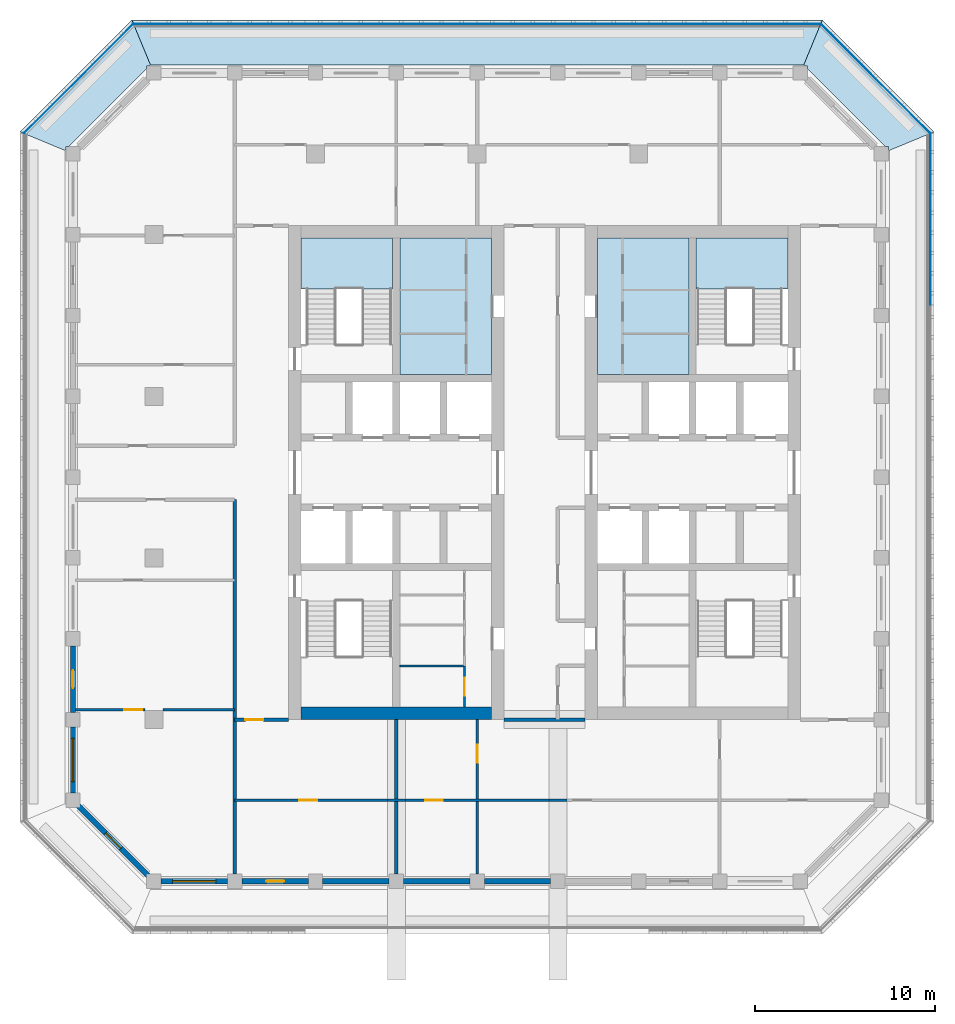
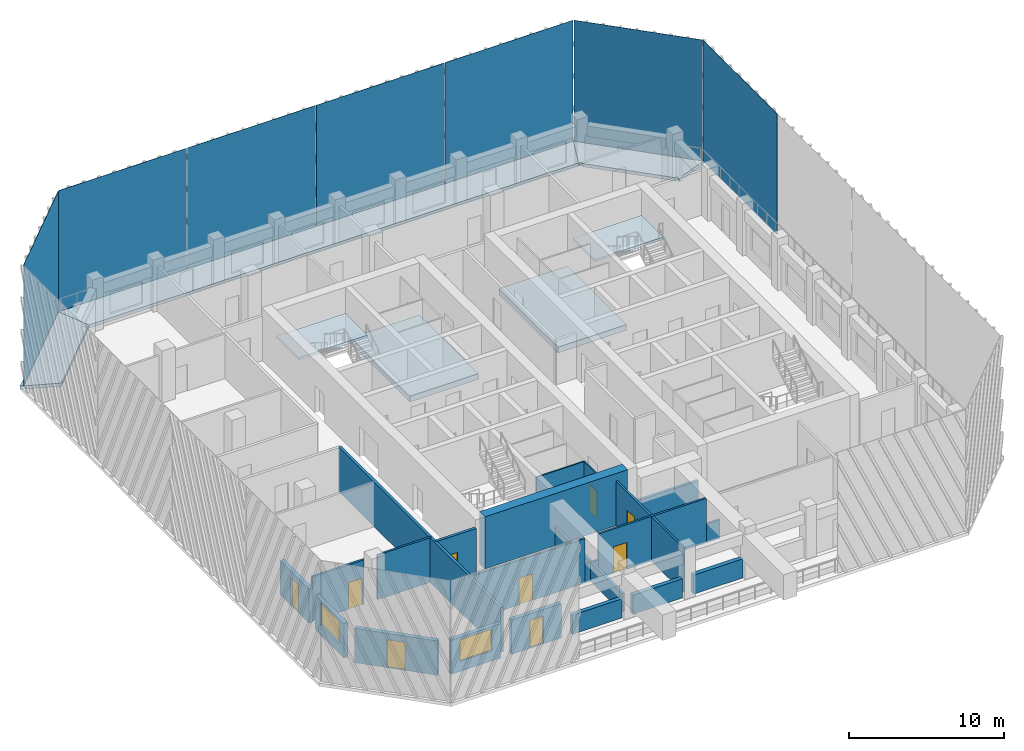
# One storey, part 2 of 16: 22 walls, 9 doors, 7 plates, 7 slabs, 2 windows, 11 openings, 2 elements without a shape of their own.
"""IFC4 building model written with IfcOpenShell, lengths in metres."""

from ifc_helpers import new_model, si_unit, direction, frame, frame_2d, origin, origin_2d, place, context, subcontext, project, spatial, polyline, rectangle, outline, extrude, material, layer, layer_set, type_object, element, fill, aggregate, save


model = new_model("IFC4")

# Units and contexts
model_context = context("Model", 3, precision=1e-05, world=origin(), true_north=direction((0.0, 1.0)))
body_context = subcontext(model_context, "Body", "Model", "MODEL_VIEW")
ifc_project = project(units=[si_unit("LENGTHUNIT", "METRE"), si_unit("AREAUNIT", "SQUARE_METRE"), si_unit("VOLUMEUNIT", "CUBIC_METRE"), si_unit("PLANEANGLEUNIT", "RADIAN"), si_unit("MASSUNIT", "GRAM", prefix="KILO")], contexts=[model_context])

# Site, building, storey
site_placement = place(None, origin())
site = spatial("IfcSite", under=ifc_project, at=site_placement, CompositionType="ELEMENT")
building_placement = place(site_placement, origin())
building = spatial("IfcBuilding", under=site, at=building_placement, Name="Corbel Stack Research Tower", CompositionType="ELEMENT")
storey_placement = place(building_placement, frame((0.0, 0.0, 290.89990234375)))
storey = spatial("IfcBuildingStorey", under=building, at=storey_placement, Name="L66", CompositionType="ELEMENT", Elevation=290.89990234375)

# Plates
ifc_material_1 = material(Name="Fritted glass", Category="glass")
ifc_layer_1 = layer(ifc_material_1, 0.02490234375)
ifc_layer_set_1 = layer_set([ifc_layer_1], Name="Fritted glass")
plate_type = type_object("IfcPlateType", Name="Fritted glass panel 25", PredefinedType="SHEET", material=ifc_layer_set_1)
plate_1_placement = place(storey_placement, frame((25.237548828125, 18.854248046875, 0.0), z_axis=(0.0, 0.0, 1.0), x_axis=(0.0, 1.0, 0.0)))
element("IfcPlate", 1, at=plate_1_placement, inside=storey, type_object=plate_type, Name="Fritted glass L66 E4", PredefinedType="SHEET", context=body_context, shape_type="SweptSolid", body=[
    extrude(rectangle(XDim=9.509521484375, YDim=0.02490234375, at=origin_2d()), origin(), (0.0, 0.0, 1.0), 9.5),
])
plate_2_placement = place(storey_placement, frame((22.185791015625, 26.685791015625, 0.0), z_axis=(0.0, 0.0, 1.0), x_axis=(-0.707106781187, 0.707106781187, 0.0)))
element("IfcPlate", 2, at=plate_2_placement, inside=storey, type_object=plate_type, Name="Fritted glass L66 NE1", PredefinedType="SHEET", context=body_context, shape_type="SweptSolid", body=[
    extrude(rectangle(XDim=8.58203125, YDim=0.02490234375, at=origin_2d()), origin(), (0.0, 0.0, 1.0), 9.5),
])
for number, where, z_axis, x_axis, name in (
    (3, (14.354248046875, 29.737548828125, 0.0), (0.0, 0.0, 1.0), (-1.0, 0.0, 0.0), "Fritted glass L66 N1"),
    (4, (4.784912109375, 29.737548828125, 0.0), (0.0, 0.0, 1.0), (-1.0, 0.0, 0.0), "Fritted glass L66 N2"),
    (5, (-4.784912109375, 29.737548828125, 0.0), (0.0, 0.0, 1.0), (-1.0, 0.0, 0.0), "Fritted glass L66 N3"),
    (6, (-14.354248046875, 29.737548828125, 0.0), (0.0, 0.0, 1.0), (-1.0, 0.0, 0.0), "Fritted glass L66 N4"),
):
    element("IfcPlate", number, at=place(storey_placement, frame(where, z_axis=z_axis, x_axis=x_axis)), inside=storey, type_object=plate_type, Name=name, PredefinedType="SHEET", context=body_context, shape_type="SweptSolid", body=[
        extrude(rectangle(XDim=9.509521484375, YDim=0.02490234375, at=origin_2d()), origin(), (0.0, 0.0, 1.0), 9.5),
    ])
plate_3_placement = place(storey_placement, frame((-22.185791015625, 26.685791015625, 0.0), z_axis=(0.0, 0.0, 1.0), x_axis=(-0.707106781187, -0.707106781187, 0.0)))
element("IfcPlate", 7, at=plate_3_placement, inside=storey, type_object=plate_type, Name="Fritted glass L66 NW1", PredefinedType="SHEET", context=body_context, shape_type="SweptSolid", body=[
    extrude(rectangle(XDim=8.58203125, YDim=0.02490234375, at=origin_2d()), origin(), (0.0, 0.0, 1.0), 9.5),
])

# Slabs
ifc_material_2 = material(Name="Concrete C45/55", Category="concrete")
ifc_layer_2 = layer(ifc_material_2, 0.25)
ifc_layer_set_2 = layer_set([ifc_layer_2], Name="Concrete C45/55")
slab_type_1 = type_object("IfcSlabType", Name="PT balcony slab 250 C45/55", PredefinedType="FLOOR", material=ifc_layer_set_2)
slab_1_placement = place(storey_placement, frame((0.0, 0.0, -0.25)))
element("IfcSlab", 8, at=slab_1_placement, inside=storey, type_object=slab_type_1, Name="Loggia slab L66 NE", PredefinedType="FLOOR", context=body_context, shape_type="SweptSolid", body=[
    extrude(outline(polyline([(18.186279296875, 27.449951171875), (18.236328125, 27.39990234375), (18.39990234375, 27.39990234375), (18.39990234375, 27.236328125), (22.736328125, 22.89990234375), (22.89990234375, 22.89990234375), (22.89990234375, 22.736328125), (22.949951171875, 22.686279296875), (25.449951171875, 23.721923828125), (19.221923828125, 29.949951171875), (18.186279296875, 27.449951171875)])), origin(), (0.0, 0.0, 1.0), 0.25),
])
slab_2_placement = place(storey_placement, frame((0.0, 0.0, -0.25)))
element("IfcSlab", 9, at=slab_2_placement, inside=storey, type_object=slab_type_1, Name="Loggia slab L66 N", PredefinedType="FLOOR", context=body_context, shape_type="SweptSolid", body=[
    extrude(outline(polyline([(-18.186279296875, 27.449951171875), (18.186279296875, 27.449951171875), (19.221923828125, 29.949951171875), (-19.221923828125, 29.949951171875), (-18.186279296875, 27.449951171875)])), origin(), (0.0, 0.0, 1.0), 0.25),
])
slab_3_placement = place(storey_placement, frame((0.0, 0.0, -0.25)))
element("IfcSlab", 10, at=slab_3_placement, inside=storey, type_object=slab_type_1, Name="Loggia slab L66 NW", PredefinedType="FLOOR", context=body_context, shape_type="SweptSolid", body=[
    extrude(outline(polyline([(-22.949951171875, 22.686279296875), (-22.89990234375, 22.736328125), (-22.89990234375, 22.89990234375), (-22.736328125, 22.89990234375), (-18.39990234375, 27.236328125), (-18.39990234375, 27.39990234375), (-18.236328125, 27.39990234375), (-18.186279296875, 27.449951171875), (-19.221923828125, 29.949951171875), (-25.449951171875, 23.721923828125), (-22.949951171875, 22.686279296875)])), origin(), (0.0, 0.0, 1.0), 0.25),
])
ifc_material_3 = material(Name="Concrete C45/55", Category="concrete")
ifc_layer_3 = layer(ifc_material_3, 0.449951171875)
ifc_layer_set_3 = layer_set([ifc_layer_3], Name="Concrete C45/55")
slab_type_2 = type_object("IfcSlabType", Name="PT-450", PredefinedType="FLOOR", material=ifc_layer_set_3)
slab_4_placement = place(storey_placement, frame((0.0, 0.0, -0.449951171875)))
element("IfcSlab", 11, at=slab_4_placement, inside=storey, type_object=slab_type_2, Name="West core floor L66", PredefinedType="FLOOR", context=body_context, shape_type="SweptSolid", body=[
    extrude(outline(polyline([(-4.300048828125, 17.800048828125), (-4.300048828125, 10.199951171875), (0.800048828125, 10.199951171875), (0.800048828125, 17.800048828125), (-4.300048828125, 17.800048828125)])), origin(), (0.0, 0.0, 1.0), 0.449951171875),
])
slab_5_placement = place(storey_placement, frame((0.0, 0.0, -0.449951171875)))
element("IfcSlab", 12, at=slab_5_placement, inside=storey, type_object=slab_type_2, Name="East core floor L66", PredefinedType="FLOOR", context=body_context, shape_type="SweptSolid", body=[
    extrude(outline(polyline([(6.699951171875, 10.199951171875), (11.800048828125, 10.199951171875), (11.800048828125, 17.800048828125), (6.699951171875, 17.800048828125), (6.699951171875, 10.199951171875)])), origin(), (0.0, 0.0, 1.0), 0.449951171875),
])

# Stair, slab
ifc_material_4 = material(Name="Concrete C40/50", Category="concrete")
stair_type = type_object("IfcStairType", Name="Exit stair 24 risers", PredefinedType="HALF_TURN_STAIR", material=ifc_material_4)
stair_1_placement = place(storey_placement, origin())
stair_1 = element("IfcStair", 13, at=stair_1_placement, inside=storey, type_object=stair_type, Name="L66 Exit stair ST-W2", PredefinedType="HALF_TURN_STAIR")
ifc_material_5 = material(Name="Concrete C40/50", Category="concrete")
ifc_layer_4 = layer(ifc_material_5, 0.199951171875)
ifc_layer_set_4 = layer_set([ifc_layer_4], Name="Concrete C40/50")
slab_type_3 = type_object("IfcSlabType", Name="Stair landing 200 C40/50", PredefinedType="LANDING", material=ifc_layer_set_4)
slab_6_placement = place(storey_placement, frame((0.0, 0.0, 1.85009765625)))
slab_6 = element("IfcSlab", 14, at=slab_6_placement, type_object=slab_type_3, Name="ST-W2 landing 1", PredefinedType="LANDING", context=body_context, shape_type="SweptSolid", body=[
    extrude(outline(polyline([(-9.800048828125, 14.97998046875), (-9.800048828125, 17.800048828125), (-4.699951171875, 17.800048828125), (-4.699951171875, 14.97998046875), (-9.800048828125, 14.97998046875)])), origin(), (0.0, 0.0, 1.0), 0.199951171875),
])
aggregate(stair_1, [slab_6])

stair_2_placement = place(storey_placement, origin())
stair_2 = element("IfcStair", 15, at=stair_2_placement, inside=storey, type_object=stair_type, Name="L66 Exit stair ST-E2", PredefinedType="HALF_TURN_STAIR")
slab_7_placement = place(storey_placement, frame((0.0, 0.0, 1.85009765625)))
slab_7 = element("IfcSlab", 16, at=slab_7_placement, type_object=slab_type_3, Name="ST-E2 landing 1", PredefinedType="LANDING", context=body_context, shape_type="SweptSolid", body=[
    extrude(outline(polyline([(12.199951171875, 14.97998046875), (12.199951171875, 17.800048828125), (17.300048828125, 17.800048828125), (17.300048828125, 14.97998046875), (12.199951171875, 14.97998046875)])), origin(), (0.0, 0.0, 1.0), 0.199951171875),
])
aggregate(stair_2, [slab_7])

# Wall
ifc_material_6 = material(Name="Concrete C60/75", Category="concrete")
ifc_layer_5 = layer(ifc_material_6, 0.699951171875)
ifc_layer_set_5 = layer_set([ifc_layer_5], Name="Concrete C60/75")
wall_type_1 = type_object("IfcWallType", Name="CW-700-60", PredefinedType="SHEAR", material=ifc_layer_set_5)
wall_1_placement = place(storey_placement, frame((-9.800048828125, -8.64990234375, 0.0), z_axis=(0.0, 0.0, 1.0), x_axis=(1.0, 0.0, 0.0)))
element("IfcWall", 17, at=wall_1_placement, inside=storey, type_object=wall_type_1, Name="West core wall, south end L66", PredefinedType="SHEAR", context=body_context, shape_type="SweptSolid", body=[
    extrude(rectangle(XDim=10.60009765625, YDim=0.699951171875, at=frame_2d((5.300048828125, 0.0))), origin(), (0.0, 0.0, 1.0), 4.10009765625),
])

# Wall, opening, door
ifc_material_7 = material(Name="Gypsum board")
ifc_layer_6 = layer(ifc_material_7, 0.10009765625)
ifc_layer_set_6 = layer_set([ifc_layer_6], Name="Gypsum board")
wall_type_2 = type_object("IfcWallType", Name="Core partition 100", PredefinedType="PARTITIONING", material=ifc_layer_set_6)
wall_2_placement = place(storey_placement, frame((-0.699951171875, -8.300048828125, 0.0), z_axis=(0.0, 0.0, 1.0), x_axis=(0.0, 1.0, 0.0)))
wall_2 = element("IfcWall", 18, at=wall_2_placement, inside=storey, type_object=wall_type_2, Name="Core partition W", PredefinedType="PARTITIONING", context=body_context, shape_type="SweptSolid", body=[
    extrude(rectangle(XDim=2.280029296875, YDim=0.10009765625, at=frame_2d((1.14013671875, 0.0))), origin(), (0.0, 0.0, 1.0), 3.5),
])
opening_1_placement = place(wall_2_placement, frame((0.639892578125, 0.0, 0.0)))
opening_1 = element("IfcOpeningElement", 19, at=opening_1_placement, cuts=wall_2, Name="Opening CR-W42-W2-1000", PredefinedType="OPENING", context=body_context, shape_type="SweptSolid", body=[
    extrude(rectangle(XDim=1.0, YDim=2.10009765625, at=frame_2d((0.5, 1.050048828125))), frame((0.0, 0.06005859375, 0.0), z_axis=(0.0, -1.0, 0.0), x_axis=(1.0, 0.0, 0.0)), (0.0, 0.0, 1.0), 0.1201171875),
])
ifc_material_8 = material(Name="Painted timber door", Category="wood")
door_type_1 = type_object("IfcDoorType", Name="WC door 1000 x 2100 right hand", OperationType="SINGLE_SWING_RIGHT", PredefinedType="DOOR", material=ifc_material_8)
door_1_placement = place(opening_1_placement, origin())
door_1 = element("IfcDoor", 20, at=door_1_placement, inside=storey, type_object=door_type_1, Name="Men's WC door W core", OperationType="SINGLE_SWING_RIGHT", OverallHeight=2.10009765625, OverallWidth=1.0, PredefinedType="DOOR", context=body_context, shape_type="SweptSolid", body=[
    extrude(rectangle(XDim=1.0, YDim=2.10009765625, at=frame_2d((0.5, 1.050048828125))), frame((0.0, 0.02490234375, 0.0), z_axis=(0.0, -1.0, 0.0), x_axis=(1.0, 0.0, 0.0)), (0.0, 0.0, 1.0), 0.050048828125),
])
fill(opening_1, door_1)

# Wall
wall_3_placement = place(storey_placement, frame((-4.300048828125, -6.02001953125, 0.0), z_axis=(0.0, 0.0, 1.0), x_axis=(1.0, 0.0, 0.0)))
element("IfcWall", 21, at=wall_3_placement, inside=storey, type_object=wall_type_2, Name="Core partition W", PredefinedType="PARTITIONING", context=body_context, shape_type="SweptSolid", body=[
    extrude(rectangle(XDim=3.60009765625, YDim=0.10009765625, at=frame_2d((1.800048828125, 0.0))), origin(), (0.0, 0.0, 1.0), 3.5),
])

# Wall, opening, door
ifc_material_9 = material(Name="Fire-rated gypsum board partition on steel studs", Category="steel")
ifc_layer_7 = layer(ifc_material_9, 0.14990234375)
ifc_layer_set_7 = layer_set([ifc_layer_7], Name="Fire-rated gypsum board partition on steel studs")
wall_type_3 = type_object("IfcWallType", Name="Fire-rated partition 150 EI 60", PredefinedType="PARTITIONING", material=ifc_layer_set_7)
wall_4_placement = place(storey_placement, frame((0.0, -17.60009765625, 0.0), z_axis=(0.0, 0.0, 1.0), x_axis=(0.0, 1.0, 0.0)))
wall_4 = element("IfcWall", 22, at=wall_4_placement, inside=storey, type_object=wall_type_3, Name="Partition L66-005", PredefinedType="PARTITIONING", context=body_context, shape_type="SweptSolid", body=[
    extrude(rectangle(XDim=8.60009765625, YDim=0.14990234375, at=frame_2d((4.300048828125, 0.0))), origin(), (0.0, 0.0, 1.0), 3.5),
])
opening_2_placement = place(wall_4_placement, frame((6.199951171875, 0.0, 0.0)))
opening_2 = element("IfcOpeningElement", 23, at=opening_2_placement, cuts=wall_4, Name="Opening B8V2P-010", PredefinedType="OPENING", context=body_context, shape_type="SweptSolid", body=[
    extrude(rectangle(XDim=1.0, YDim=2.10009765625, at=frame_2d((0.5, 1.050048828125))), frame((0.0, 0.0849609375, 0.0), z_axis=(0.0, -1.0, 0.0), x_axis=(1.0, 0.0, 0.0)), (0.0, 0.0, 1.0), 0.169921875),
])
ifc_material_10 = material(Name="Painted steel fire door", Category="steel")
door_type_2 = type_object("IfcDoorType", Name="Fire door FD30S 1000 x 2100", OperationType="NOTDEFINED", PredefinedType="DOOR", material=ifc_material_10)
door_2_placement = place(opening_2_placement, origin())
door_2 = element("IfcDoor", 24, at=door_2_placement, inside=storey, type_object=door_type_2, Name="Door B8V2P-010", OperationType="SINGLE_SWING_RIGHT", OverallHeight=2.10009765625, OverallWidth=1.0, PredefinedType="DOOR", context=body_context, shape_type="SweptSolid", body=[
    extrude(rectangle(XDim=1.0, YDim=2.10009765625, at=frame_2d((0.5, 1.050048828125))), frame((0.0, 0.02490234375, 0.0), z_axis=(0.0, -1.0, 0.0), x_axis=(1.0, 0.0, 0.0)), (0.0, 0.0, 1.0), 0.050048828125),
])
fill(opening_2, door_2)

# Walls
ifc_material_11 = material(Name="Fire-rated gypsum board partition on steel studs", Category="steel")
ifc_layer_8 = layer(ifc_material_11, 0.199951171875)
ifc_layer_set_8 = layer_set([ifc_layer_8], Name="Fire-rated gypsum board partition on steel studs")
wall_type_4 = type_object("IfcWallType", Name="Fire-rated partition 200 EI 60", PredefinedType="PARTITIONING", material=ifc_layer_set_8)
wall_5_placement = place(storey_placement, frame((-13.5, -17.60009765625, 0.0), z_axis=(0.0, 0.0, 1.0), x_axis=(0.0, 1.0, 0.0)))
element("IfcWall", 25, at=wall_5_placement, inside=storey, type_object=wall_type_4, Name="Partition L66-001", PredefinedType="PARTITIONING", context=body_context, shape_type="SweptSolid", body=[
    extrude(rectangle(XDim=20.85009765625, YDim=0.199951171875, at=frame_2d((10.425048828125, 0.0))), origin(), (0.0, 0.0, 1.0), 3.5),
])
wall_6_placement = place(storey_placement, frame((-4.5, -17.60009765625, 0.0), z_axis=(0.0, 0.0, 1.0), x_axis=(0.0, 1.0, 0.0)))
element("IfcWall", 26, at=wall_6_placement, inside=storey, type_object=wall_type_4, Name="Partition L66-004", PredefinedType="PARTITIONING", context=body_context, shape_type="SweptSolid", body=[
    extrude(rectangle(XDim=8.60009765625, YDim=0.199951171875, at=frame_2d((4.300048828125, 0.0))), origin(), (0.0, 0.0, 1.0), 1.47021484375),
])

# Wall, opening, door
wall_7_placement = place(storey_placement, frame((-10.5, -9.0, 0.0), z_axis=(0.0, 0.0, 1.0), x_axis=(-1.0, 0.0, 0.0)))
wall_7 = element("IfcWall", 27, at=wall_7_placement, inside=storey, type_object=wall_type_4, Name="Partition L66-019", PredefinedType="PARTITIONING", context=body_context, shape_type="SweptSolid", body=[
    extrude(rectangle(XDim=3.0, YDim=0.199951171875, at=frame_2d((1.5, 0.0))), origin(), (0.0, 0.0, 1.0), 3.5),
])
opening_3_placement = place(wall_7_placement, frame((1.39990234375, 0.0, 0.0)))
opening_3 = element("IfcOpeningElement", 28, at=opening_3_placement, cuts=wall_7, Name="Opening B8V2P-005", PredefinedType="OPENING", context=body_context, shape_type="SweptSolid", body=[
    extrude(rectangle(XDim=1.0, YDim=2.10009765625, at=frame_2d((0.5, 1.050048828125))), frame((0.0, 0.10986328125, 0.0), z_axis=(0.0, -1.0, 0.0), x_axis=(1.0, 0.0, 0.0)), (0.0, 0.0, 1.0), 0.219970703125),
])
door_3_placement = place(opening_3_placement, origin())
door_3 = element("IfcDoor", 29, at=door_3_placement, inside=storey, type_object=door_type_2, Name="Door B8V2P-005", OperationType="SINGLE_SWING_RIGHT", OverallHeight=2.10009765625, OverallWidth=1.0, PredefinedType="DOOR", context=body_context, shape_type="SweptSolid", body=[
    extrude(rectangle(XDim=1.0, YDim=2.10009765625, at=frame_2d((0.5, 1.050048828125))), frame((0.0, 0.02490234375, 0.0), z_axis=(0.0, -1.0, 0.0), x_axis=(1.0, 0.0, 0.0)), (0.0, 0.0, 1.0), 0.050048828125),
])
fill(opening_3, door_3)

# Wall
wall_8_placement = place(storey_placement, frame((1.5, -9.0, 0.0), z_axis=(0.0, 0.0, 1.0), x_axis=(1.0, 0.0, 0.0)))
element("IfcWall", 30, at=wall_8_placement, inside=storey, type_object=wall_type_4, Name="Partition L66-020", PredefinedType="PARTITIONING", context=body_context, shape_type="SweptSolid", body=[
    extrude(rectangle(XDim=4.5, YDim=0.199951171875, at=frame_2d((2.25, 0.0))), origin(), (0.0, 0.0, 1.0), 1.47021484375),
])

# Wall, opening, door
ifc_material_12 = material(Name="Gypsum board partition on steel studs", Category="steel")
ifc_layer_9 = layer(ifc_material_12, 0.14990234375)
ifc_layer_set_9 = layer_set([ifc_layer_9], Name="Gypsum board partition on steel studs")
wall_type_5 = type_object("IfcWallType", Name="Partition 150", PredefinedType="PARTITIONING", material=ifc_layer_set_9)
wall_9_placement = place(storey_placement, frame((-5.0, -13.5, 0.0), z_axis=(0.0, 0.0, 1.0), x_axis=(-1.0, 0.0, 0.0)))
wall_9 = element("IfcWall", 31, at=wall_9_placement, inside=storey, type_object=wall_type_5, Name="Partition L66-014", PredefinedType="PARTITIONING", context=body_context, shape_type="SweptSolid", body=[
    extrude(rectangle(XDim=8.5, YDim=0.14990234375, at=frame_2d((4.25, 0.0))), origin(), (0.0, 0.0, 1.0), 3.5),
])
opening_4_placement = place(wall_9_placement, frame((3.89990234375, 0.0, 0.0)))
opening_4 = element("IfcOpeningElement", 32, at=opening_4_placement, cuts=wall_9, Name="Opening B8V2P-001", PredefinedType="OPENING", context=body_context, shape_type="SweptSolid", body=[
    extrude(rectangle(XDim=1.0, YDim=2.10009765625, at=frame_2d((0.5, 1.050048828125))), frame((0.0, 0.0849609375, 0.0), z_axis=(0.0, -1.0, 0.0), x_axis=(1.0, 0.0, 0.0)), (0.0, 0.0, 1.0), 0.169921875),
])
ifc_material_13 = material(Name="Painted timber door", Category="wood")
door_type_3 = type_object("IfcDoorType", Name="Single door 1000 x 2100", OperationType="NOTDEFINED", PredefinedType="DOOR", material=ifc_material_13)
door_4_placement = place(opening_4_placement, origin())
door_4 = element("IfcDoor", 33, at=door_4_placement, inside=storey, type_object=door_type_3, Name="Door B8V2P-001", OperationType="SINGLE_SWING_RIGHT", OverallHeight=2.10009765625, OverallWidth=1.0, PredefinedType="DOOR", context=body_context, shape_type="SweptSolid", body=[
    extrude(rectangle(XDim=1.0, YDim=2.10009765625, at=frame_2d((0.5, 1.050048828125))), frame((0.0, 0.02490234375, 0.0), z_axis=(0.0, -1.0, 0.0), x_axis=(1.0, 0.0, 0.0)), (0.0, 0.0, 1.0), 0.050048828125),
])
fill(opening_4, door_4)

# Wall
wall_10_placement = place(storey_placement, frame((-5.0, -13.5, 0.0), z_axis=(0.0, 0.0, 1.0), x_axis=(1.0, 0.0, 0.0)))
element("IfcWall", 34, at=wall_10_placement, inside=storey, type_object=wall_type_5, Name="Partition L66-015", PredefinedType="PARTITIONING", context=body_context, shape_type="SweptSolid", body=[
    extrude(rectangle(XDim=1.0, YDim=0.14990234375, at=frame_2d((0.5, 0.0))), origin(), (0.0, 0.0, 1.0), 1.47021484375),
])

# Wall, opening, door
wall_11_placement = place(storey_placement, frame((4.0, -13.5, 0.0), z_axis=(0.0, 0.0, 1.0), x_axis=(-1.0, 0.0, 0.0)))
wall_11 = element("IfcWall", 35, at=wall_11_placement, inside=storey, type_object=wall_type_5, Name="Partition L66-016", PredefinedType="PARTITIONING", context=body_context, shape_type="SweptSolid", body=[
    extrude(rectangle(XDim=8.0, YDim=0.14990234375, at=frame_2d((4.0, 0.0))), origin(), (0.0, 0.0, 1.0), 3.5),
])
opening_5_placement = place(wall_11_placement, frame((5.89990234375, 0.0, 0.0)))
opening_5 = element("IfcOpeningElement", 36, at=opening_5_placement, cuts=wall_11, Name="Opening B8V2P-002", PredefinedType="OPENING", context=body_context, shape_type="SweptSolid", body=[
    extrude(rectangle(XDim=1.0, YDim=2.10009765625, at=frame_2d((0.5, 1.050048828125))), frame((0.0, 0.0849609375, 0.0), z_axis=(0.0, -1.0, 0.0), x_axis=(1.0, 0.0, 0.0)), (0.0, 0.0, 1.0), 0.169921875),
])
door_5_placement = place(opening_5_placement, origin())
door_5 = element("IfcDoor", 37, at=door_5_placement, inside=storey, type_object=door_type_3, Name="Door B8V2P-002", OperationType="SINGLE_SWING_RIGHT", OverallHeight=2.10009765625, OverallWidth=1.0, PredefinedType="DOOR", context=body_context, shape_type="SweptSolid", body=[
    extrude(rectangle(XDim=1.0, YDim=2.10009765625, at=frame_2d((0.5, 1.050048828125))), frame((0.0, 0.02490234375, 0.0), z_axis=(0.0, -1.0, 0.0), x_axis=(1.0, 0.0, 0.0)), (0.0, 0.0, 1.0), 0.050048828125),
])
fill(opening_5, door_5)

# Wall
wall_12_placement = place(storey_placement, frame((4.0, -13.5, 0.0), z_axis=(0.0, 0.0, 1.0), x_axis=(1.0, 0.0, 0.0)))
element("IfcWall", 38, at=wall_12_placement, inside=storey, type_object=wall_type_5, Name="Partition L66-017", PredefinedType="PARTITIONING", context=body_context, shape_type="SweptSolid", body=[
    extrude(rectangle(XDim=1.0, YDim=0.14990234375, at=frame_2d((0.5, 0.0))), origin(), (0.0, 0.0, 1.0), 1.47021484375),
])

# Wall, opening, door
wall_13_placement = place(storey_placement, frame((-18.5, -8.449951171875, 0.0), z_axis=(0.0, 0.0, 1.0), x_axis=(-1.0, 0.0, 0.0)))
wall_13 = element("IfcWall", 39, at=wall_13_placement, inside=storey, type_object=wall_type_5, Name="Partition L66-022", PredefinedType="PARTITIONING", context=body_context, shape_type="SweptSolid", body=[
    extrude(rectangle(XDim=3.85009765625, YDim=0.14990234375, at=frame_2d((1.925048828125, 0.0))), origin(), (0.0, 0.0, 1.0), 3.5),
])
opening_6_placement = place(wall_13_placement, frame((0.14990234375, 0.0, 0.0)))
opening_6 = element("IfcOpeningElement", 40, at=opening_6_placement, cuts=wall_13, Name="Opening B8V2P-007", PredefinedType="OPENING", context=body_context, shape_type="SweptSolid", body=[
    extrude(rectangle(XDim=1.0, YDim=2.10009765625, at=frame_2d((0.5, 1.050048828125))), frame((0.0, 0.0849609375, 0.0), z_axis=(0.0, -1.0, 0.0), x_axis=(1.0, 0.0, 0.0)), (0.0, 0.0, 1.0), 0.169921875),
])
door_6_placement = place(opening_6_placement, origin())
door_6 = element("IfcDoor", 41, at=door_6_placement, inside=storey, type_object=door_type_3, Name="Door B8V2P-007", OperationType="SINGLE_SWING_LEFT", OverallHeight=2.10009765625, OverallWidth=1.0, PredefinedType="DOOR", context=body_context, shape_type="SweptSolid", body=[
    extrude(rectangle(XDim=1.0, YDim=2.10009765625, at=frame_2d((0.5, 1.050048828125))), frame((0.0, 0.02490234375, 0.0), z_axis=(0.0, -1.0, 0.0), x_axis=(1.0, 0.0, 0.0)), (0.0, 0.0, 1.0), 0.050048828125),
])
fill(opening_6, door_6)

# Wall
wall_14_placement = place(storey_placement, frame((-17.5, -8.449951171875, 0.0), z_axis=(0.0, 0.0, 1.0), x_axis=(1.0, 0.0, 0.0)))
element("IfcWall", 42, at=wall_14_placement, inside=storey, type_object=wall_type_5, Name="Partition L66-023", PredefinedType="PARTITIONING", context=body_context, shape_type="SweptSolid", body=[
    extrude(rectangle(XDim=4.0, YDim=0.14990234375, at=frame_2d((2.0, 0.0))), origin(), (0.0, 0.0, 1.0), 3.5),
])

# Wall, opening, window
ifc_material_14 = material(Name="Concrete C45/55", Category="concrete")
ifc_layer_10 = layer(ifc_material_14, 0.300048828125)
ifc_layer_set_10 = layer_set([ifc_layer_10], Name="Concrete C45/55")
wall_type_6 = type_object("IfcWallType", Name="Terracotta-faced concrete wall 300", PredefinedType="SOLIDWALL", material=ifc_layer_set_10)
wall_15_placement = place(storey_placement, frame((-13.89990234375, -18.0, 0.0), z_axis=(0.0, 0.0, 1.0), x_axis=(-1.0, 0.0, 0.0)))
wall_15 = element("IfcWall", 43, at=wall_15_placement, inside=storey, type_object=wall_type_6, Name="Facade wall L66 S01", PredefinedType="SOLIDWALL", context=body_context, shape_type="SweptSolid", body=[
    extrude(rectangle(XDim=3.7001953125, YDim=0.300048828125, at=frame_2d((1.85009765625, 0.0))), origin(), (0.0, 0.0, 1.0), 2.7001953125),
])
opening_7_placement = place(wall_15_placement, frame((0.64990234375, 0.0, 0.800048828125)))
opening_7 = element("IfcOpeningElement", 44, at=opening_7_placement, cuts=wall_15, Name="Opening W1", PredefinedType="OPENING", context=body_context, shape_type="SweptSolid", body=[
    extrude(rectangle(XDim=2.39990234375, YDim=1.699951171875, at=frame_2d((1.199951171875, 0.85009765625))), frame((0.0, 0.159912109375, 0.0), z_axis=(0.0, -1.0, 0.0), x_axis=(1.0, 0.0, 0.0)), (0.0, 0.0, 1.0), 0.320068359375),
])
ifc_material_15 = material(Name="Aluminium frame, clear double glazing", Category="aluminium")
window_type = type_object("IfcWindowType", Name="Window W1 2400 x 1700", PartitioningType="SINGLE_PANEL", PredefinedType="WINDOW", material=ifc_material_15)
window_1_placement = place(opening_7_placement, origin())
window_1 = element("IfcWindow", 45, at=window_1_placement, inside=storey, type_object=window_type, Name="Window W1 L66 S01", OverallHeight=1.699951171875, OverallWidth=2.39990234375, PartitioningType="SINGLE_PANEL", PredefinedType="WINDOW", context=body_context, shape_type="SweptSolid", body=[
    extrude(rectangle(XDim=2.39990234375, YDim=1.699951171875, at=frame_2d((1.199951171875, 0.85009765625))), frame((0.0, 0.030029296875, 0.0), z_axis=(0.0, -1.0, 0.0), x_axis=(1.0, 0.0, 0.0)), (0.0, 0.0, 1.0), 0.06005859375),
])
fill(opening_7, window_1)

# Wall, opening, door
wall_16_placement = place(storey_placement, frame((-9.39990234375, -18.0, 0.0), z_axis=(0.0, 0.0, 1.0), x_axis=(-1.0, 0.0, 0.0)))
wall_16 = element("IfcWall", 46, at=wall_16_placement, inside=storey, type_object=wall_type_6, Name="Facade wall L66 S02", PredefinedType="SOLIDWALL", context=body_context, shape_type="SweptSolid", body=[
    extrude(rectangle(XDim=3.7001953125, YDim=0.300048828125, at=frame_2d((1.85009765625, 0.0))), origin(), (0.0, 0.0, 1.0), 2.7001953125),
])
opening_8_placement = place(wall_16_placement, frame((1.35009765625, 0.0, 0.0)))
opening_8 = element("IfcOpeningElement", 47, at=opening_8_placement, cuts=wall_16, Name="Opening L66-B01", PredefinedType="OPENING", context=body_context, shape_type="SweptSolid", body=[
    extrude(rectangle(XDim=1.0, YDim=2.199951171875, at=frame_2d((0.5, 1.10009765625))), frame((0.0, 0.159912109375, 0.0), z_axis=(0.0, -1.0, 0.0), x_axis=(1.0, 0.0, 0.0)), (0.0, 0.0, 1.0), 0.320068359375),
])
ifc_material_16 = material(Name="Aluminium frame, clear double glazing", Category="aluminium")
door_type_4 = type_object("IfcDoorType", Name="Balcony door BD1 1000 x 2200", OperationType="NOTDEFINED", PredefinedType="DOOR", material=ifc_material_16)
door_7_placement = place(opening_8_placement, origin())
door_7 = element("IfcDoor", 48, at=door_7_placement, inside=storey, type_object=door_type_4, Name="Balcony door L66-B01", OperationType="SINGLE_SWING_RIGHT", OverallHeight=2.199951171875, OverallWidth=1.0, PredefinedType="DOOR", context=body_context, shape_type="SweptSolid", body=[
    extrude(rectangle(XDim=1.0, YDim=2.199951171875, at=frame_2d((0.5, 1.10009765625))), frame((0.0, 0.02490234375, 0.0), z_axis=(0.0, -1.0, 0.0), x_axis=(1.0, 0.0, 0.0)), (0.0, 0.0, 1.0), 0.050048828125),
])
fill(opening_8, door_7)

# Walls
for number, where, z_axis, x_axis, name in (
    (49, (-4.89990234375, -18.0, 0.0), (0.0, 0.0, 1.0), (-1.0, 0.0, 0.0), "Facade wall L66 S03"),
    (50, (-0.39990234375, -18.0, 0.0), (0.0, 0.0, 1.0), (-1.0, 0.0, 0.0), "Facade wall L66 S04"),
    (51, (4.10009765625, -18.0, 0.0), (0.0, 0.0, 1.0), (-1.0, 0.0, 0.0), "Facade wall L66 S05"),
):
    element("IfcWall", number, at=place(storey_placement, frame(where, z_axis=z_axis, x_axis=x_axis)), inside=storey, type_object=wall_type_6, Name=name, PredefinedType="SOLIDWALL", context=body_context, shape_type="SweptSolid", body=[
        extrude(rectangle(XDim=3.7001953125, YDim=0.300048828125, at=frame_2d((1.85009765625, 0.0))), origin(), (0.0, 0.0, 1.0), 1.5),
    ])

# Wall, opening, door
wall_17_placement = place(storey_placement, frame((-22.5, -8.60009765625, 0.0), z_axis=(0.0, 0.0, 1.0), x_axis=(0.0, 1.0, 0.0)))
wall_17 = element("IfcWall", 52, at=wall_17_placement, inside=storey, type_object=wall_type_6, Name="Facade wall L66 W07", PredefinedType="SOLIDWALL", context=body_context, shape_type="SweptSolid", body=[
    extrude(rectangle(XDim=3.7001953125, YDim=0.300048828125, at=frame_2d((1.85009765625, 0.0))), origin(), (0.0, 0.0, 1.0), 2.7001953125),
])
opening_9_placement = place(wall_17_placement, frame((1.35009765625, 0.0, 0.0)))
opening_9 = element("IfcOpeningElement", 53, at=opening_9_placement, cuts=wall_17, Name="Opening L66-B11", PredefinedType="OPENING", context=body_context, shape_type="SweptSolid", body=[
    extrude(rectangle(XDim=1.0, YDim=2.199951171875, at=frame_2d((0.5, 1.10009765625))), frame((0.0, 0.159912109375, 0.0), z_axis=(0.0, -1.0, 0.0), x_axis=(1.0, 0.0, 0.0)), (0.0, 0.0, 1.0), 0.320068359375),
])
door_8_placement = place(opening_9_placement, origin())
door_8 = element("IfcDoor", 54, at=door_8_placement, inside=storey, type_object=door_type_4, Name="Balcony door L66-B11", OperationType="SINGLE_SWING_LEFT", OverallHeight=2.199951171875, OverallWidth=1.0, PredefinedType="DOOR", context=body_context, shape_type="SweptSolid", body=[
    extrude(rectangle(XDim=1.0, YDim=2.199951171875, at=frame_2d((0.5, 1.10009765625))), frame((0.0, 0.02490234375, 0.0), z_axis=(0.0, -1.0, 0.0), x_axis=(1.0, 0.0, 0.0)), (0.0, 0.0, 1.0), 0.050048828125),
])
fill(opening_9, door_8)

# Wall, opening, window
wall_18_placement = place(storey_placement, frame((-22.5, -13.10009765625, 0.0), z_axis=(0.0, 0.0, 1.0), x_axis=(0.0, 1.0, 0.0)))
wall_18 = element("IfcWall", 55, at=wall_18_placement, inside=storey, type_object=wall_type_6, Name="Facade wall L66 W08", PredefinedType="SOLIDWALL", context=body_context, shape_type="SweptSolid", body=[
    extrude(rectangle(XDim=3.7001953125, YDim=0.300048828125, at=frame_2d((1.85009765625, 0.0))), origin(), (0.0, 0.0, 1.0), 2.7001953125),
])
opening_10_placement = place(wall_18_placement, frame((0.64990234375, 0.0, 0.800048828125)))
opening_10 = element("IfcOpeningElement", 56, at=opening_10_placement, cuts=wall_18, Name="Opening W1", PredefinedType="OPENING", context=body_context, shape_type="SweptSolid", body=[
    extrude(rectangle(XDim=2.39990234375, YDim=1.699951171875, at=frame_2d((1.199951171875, 0.85009765625))), frame((0.0, 0.159912109375, 0.0), z_axis=(0.0, -1.0, 0.0), x_axis=(1.0, 0.0, 0.0)), (0.0, 0.0, 1.0), 0.320068359375),
])
window_2_placement = place(opening_10_placement, origin())
window_2 = element("IfcWindow", 57, at=window_2_placement, inside=storey, type_object=window_type, Name="Window W1 L66 W08", OverallHeight=1.699951171875, OverallWidth=2.39990234375, PartitioningType="SINGLE_PANEL", PredefinedType="WINDOW", context=body_context, shape_type="SweptSolid", body=[
    extrude(rectangle(XDim=2.39990234375, YDim=1.699951171875, at=frame_2d((1.199951171875, 0.85009765625))), frame((0.0, 0.030029296875, 0.0), z_axis=(0.0, -1.0, 0.0), x_axis=(1.0, 0.0, 0.0)), (0.0, 0.0, 1.0), 0.06005859375),
])
fill(opening_10, window_2)

# Wall, opening, door
wall_19_placement = place(storey_placement, frame((-18.2939453125, -17.7060546875, 0.0), z_axis=(0.0, 0.0, 1.0), x_axis=(-0.707106781187, 0.707106781187, 0.0)))
wall_19 = element("IfcWall", 58, at=wall_19_placement, inside=storey, type_object=wall_type_6, Name="Facade wall L66 SW01", PredefinedType="SOLIDWALL", context=body_context, shape_type="SweptSolid", body=[
    extrude(rectangle(XDim=5.532470703125, YDim=0.300048828125, at=frame_2d((2.76611328125, 0.0))), origin(), (0.0, 0.0, 1.0), 2.7001953125),
])
opening_11_placement = place(wall_19_placement, frame((2.166259765625, 0.0, 0.0)))
opening_11 = element("IfcOpeningElement", 59, at=opening_11_placement, cuts=wall_19, Name="Opening L66-B12", PredefinedType="OPENING", context=body_context, shape_type="SweptSolid", body=[
    extrude(rectangle(XDim=1.199951171875, YDim=2.199951171875, at=frame_2d((0.60009765625, 1.10009765625))), frame((0.0, 0.159912109375, 0.0), z_axis=(0.0, -1.0, 0.0), x_axis=(1.0, 0.0, 0.0)), (0.0, 0.0, 1.0), 0.320068359375),
])
ifc_material_17 = material(Name="Aluminium frame, clear double glazing", Category="aluminium")
door_type_5 = type_object("IfcDoorType", Name="Balcony door BD2 1200 x 2200", OperationType="NOTDEFINED", PredefinedType="DOOR", material=ifc_material_17)
door_9_placement = place(opening_11_placement, origin())
door_9 = element("IfcDoor", 60, at=door_9_placement, inside=storey, type_object=door_type_5, Name="Balcony door L66-B12", OperationType="SINGLE_SWING_LEFT", OverallHeight=2.199951171875, OverallWidth=1.199951171875, PredefinedType="DOOR", context=body_context, shape_type="SweptSolid", body=[
    extrude(rectangle(XDim=1.199951171875, YDim=2.199951171875, at=frame_2d((0.60009765625, 1.10009765625))), frame((0.0, 0.02490234375, 0.0), z_axis=(0.0, -1.0, 0.0), x_axis=(1.0, 0.0, 0.0)), (0.0, 0.0, 1.0), 0.050048828125),
])
fill(opening_11, door_9)

save(model, "model.ifc")
